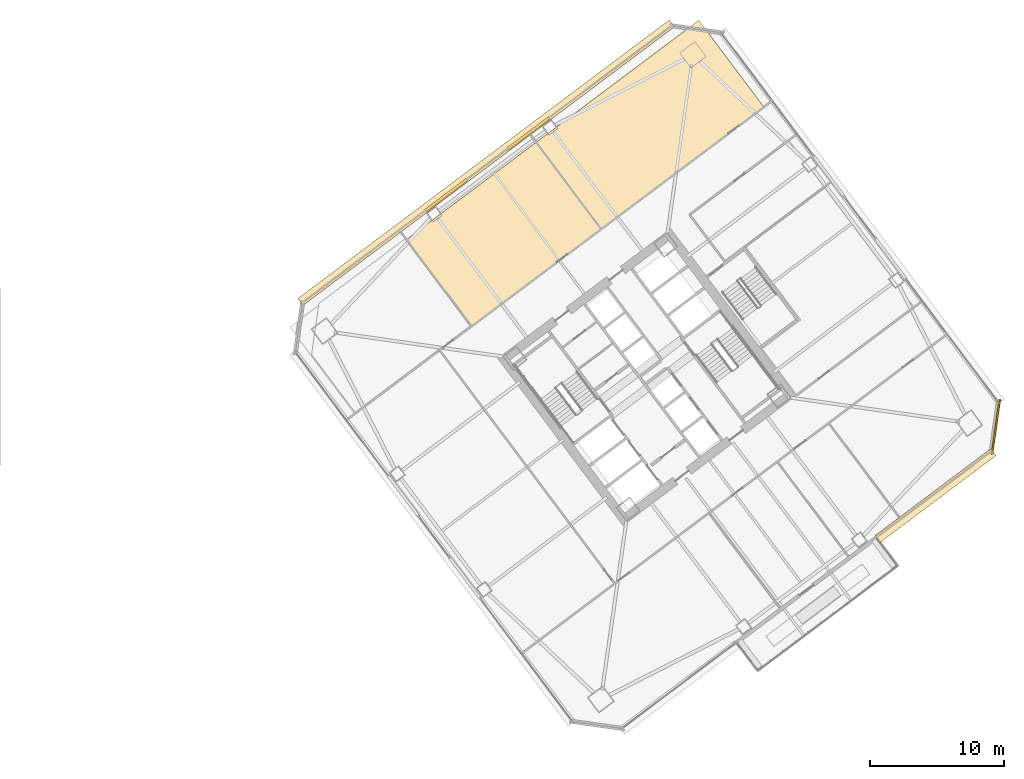
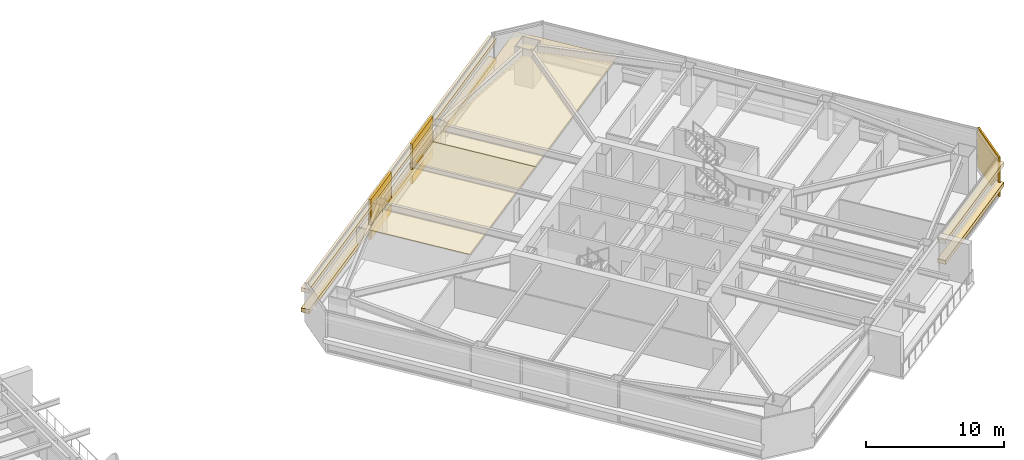
# One storey, part 44 of 46: 9 coverings.
"""IFC4 building model written with IfcOpenShell, lengths in metres."""

from ifc_helpers import new_model, si_unit, direction, frame, origin, origin_2d, place, context, subcontext, project, spatial, polyline, rectangle, outline, extrude, material, layer, layer_set, type_object, element, save


model = new_model("IFC4")

# Units and contexts
model_context = context("Model", 3, precision=1e-05, world=origin(), true_north=direction((0.0, 1.0)))
body_context = subcontext(model_context, "Body", "Model", "MODEL_VIEW")
ifc_project = project(units=[si_unit("LENGTHUNIT", "METRE"), si_unit("AREAUNIT", "SQUARE_METRE"), si_unit("VOLUMEUNIT", "CUBIC_METRE"), si_unit("PLANEANGLEUNIT", "RADIAN"), si_unit("MASSUNIT", "GRAM", prefix="KILO")], contexts=[model_context])

# Site, building, storey
site_placement = place(None, origin())
site = spatial("IfcSite", under=ifc_project, at=site_placement, CompositionType="ELEMENT")
building_placement = place(site_placement, origin())
building = spatial("IfcBuilding", under=site, at=building_placement, Name="Tashvorn Skyway Center", CompositionType="ELEMENT")
storey_placement = place(building_placement, frame((0.0, 0.0, 99.14990234375)))
storey = spatial("IfcBuildingStorey", under=building, at=storey_placement, Name="L26", CompositionType="ELEMENT", Elevation=99.14990234375)

# Coverings
ifc_material_1 = material(Name="Precast concrete C40/50", Category="concrete")
ifc_layer_1 = layer(ifc_material_1, 0.199951171875)
ifc_layer_set_1 = layer_set([ifc_layer_1], Name="Precast concrete C40/50")
covering_type_1 = type_object("IfcCoveringType", Name="COV-BRACE-CLAD", PredefinedType="CLADDING", material=ifc_layer_set_1)
for number, where, z_axis, x_axis, name in (
    (1, (99.0, 45.60009765625, 0.0), (0.0, 0.0, 1.0), (0.799999996291, 0.600000004945, 0.0), "Tower 2 L26 North Unitised Curtain Wall Mega-Brace Cladding Band 1"),
    (2, (105.14404296875, 50.2080078125, 0.0), (0.0, 0.0, 1.0), (0.799999996291, 0.600000004945, 0.0), "Tower 2 L26 North Unitised Curtain Wall Mega-Brace Cladding Band 2"),
):
    element("IfcCovering", number, at=place(storey_placement, frame(where, z_axis=z_axis, x_axis=x_axis)), inside=storey, type_object=covering_type_1, Name=name, PredefinedType="CLADDING", context=body_context, shape_type="SweptSolid", body=[
        extrude(rectangle(XDim=3.840087890625, YDim=0.199951171875, at=origin_2d()), origin(), (0.0, 0.0, 1.0), 3.550048828125),
    ])
ifc_material_2 = material(Name="Mineral-fibre acoustic ceiling tile on suspended grid")
ifc_layer_2 = layer(ifc_material_2, 0.02001953125)
ifc_layer_set_2 = layer_set([ifc_layer_2], Name="Mineral-fibre acoustic ceiling tile on suspended grid")
covering_type_2 = type_object("IfcCoveringType", Name="COV-CEIL-20", PredefinedType="CEILING", material=ifc_layer_set_2)
covering_1_placement = place(storey_placement, frame((0.0, 0.0, 2.68310546875)))
element("IfcCovering", 3, at=covering_1_placement, inside=storey, type_object=covering_type_2, Name="Tower 2 L26 Executive Suite Acoustic Ceiling", PredefinedType="CEILING", context=body_context, shape_type="SweptSolid", body=[
    extrude(outline(polyline([(100.89990234375, 35.800048828125), (110.580078125, 43.06005859375), (105.719970703125, 49.5400390625), (96.0400390625, 42.280029296875), (100.89990234375, 35.800048828125)])), origin(), (0.0, 0.0, 1.0), 0.02001953125),
])
covering_2_placement = place(storey_placement, frame((0.0, 0.0, 2.68310546875)))
element("IfcCovering", 4, at=covering_2_placement, inside=storey, type_object=covering_type_2, Name="Tower 2 L26 Design Studio Acoustic Ceiling", PredefinedType="CEILING", context=body_context, shape_type="SweptSolid", body=[
    extrude(outline(polyline([(110.580078125, 43.06005859375), (122.739990234375, 52.179931640625), (117.8798828125, 58.659912109375), (105.719970703125, 49.5400390625), (110.580078125, 43.06005859375)])), origin(), (0.0, 0.0, 1.0), 0.02001953125),
])
ifc_material_3 = material(Name="Perforated ceramic-coated bronze aluminium solar screen", Category="aluminium")
ifc_layer_3 = layer(ifc_material_3, 0.85009765625)
ifc_layer_set_3 = layer_set([ifc_layer_3], Name="Perforated ceramic-coated bronze aluminium solar screen")
covering_type_3 = type_object("IfcCoveringType", Name="COV-SOLAR-BAND", PredefinedType="CLADDING", material=ifc_layer_set_3)
for number, where, z_axis, x_axis, name in (
    (5, (135.56396484375, 23.14794921875, 0.919921875), (0.0, 0.0, 1.0), (-0.799999996291, -0.600000004945, 0.0), "L26 Perforated Ceramic-Metal Solar Screen Louvre Band South 1"),
    (6, (135.56396484375, 23.14794921875, 2.72021484375), (0.0, 0.0, 1.0), (-0.799999996291, -0.600000004945, 0.0), "L26 Perforated Ceramic-Metal Solar Screen Louvre Band South 2"),
):
    element("IfcCovering", number, at=place(storey_placement, frame(where, z_axis=z_axis, x_axis=x_axis)), inside=storey, type_object=covering_type_3, Name=name, PredefinedType="CLADDING", context=body_context, shape_type="SweptSolid", body=[
        extrude(rectangle(XDim=10.800048828125, YDim=0.639892578125, at=origin_2d()), origin(), (0.0, 0.0, 1.0), 0.360107421875),
    ])
for number, where, z_axis, x_axis, name in (
    (7, (101.988037109375, 48.01611328125, 0.919921875), (0.0, 0.0, 1.0), (0.799999996291, 0.600000004945, 0.0), "L26 Perforated Ceramic-Metal Solar Screen Louvre Band North 1"),
    (8, (101.988037109375, 48.01611328125, 2.72021484375), (0.0, 0.0, 1.0), (0.799999996291, 0.600000004945, 0.0), "L26 Perforated Ceramic-Metal Solar Screen Louvre Band North 2"),
):
    element("IfcCovering", number, at=place(storey_placement, frame(where, z_axis=z_axis, x_axis=x_axis)), inside=storey, type_object=covering_type_3, Name=name, PredefinedType="CLADDING", context=body_context, shape_type="SweptSolid", body=[
        extrude(rectangle(XDim=34.679931640625, YDim=0.639892578125, at=origin_2d()), origin(), (0.0, 0.0, 1.0), 0.360107421875),
    ])
ifc_layer_4 = layer(ifc_material_1, 0.35009765625)
ifc_layer_set_4 = layer_set([ifc_layer_4], Name="Precast concrete C40/50")
covering_type_4 = type_object("IfcCoveringType", Name="COV-STONE-TRIM", PredefinedType="CLADDING", material=ifc_layer_set_4)
covering_3_placement = place(storey_placement, frame((140.068115234375, 28.27587890625, 0.02001953125), z_axis=(0.0, 0.0, 1.0), x_axis=(0.141421350118, 0.989949494535, 0.0)))
element("IfcCovering", 9, at=covering_3_placement, inside=storey, type_object=covering_type_4, Name="Tower 2 L26 SE Mojave Limestone Corner Quoin", PredefinedType="CLADDING", context=body_context, shape_type="SweptSolid", body=[
    extrude(rectangle(XDim=4.119873046875, YDim=0.139892578125, at=origin_2d()), origin(), (0.0, 0.0, 1.0), 3.510009765625),
])

save(model, "model.ifc")
